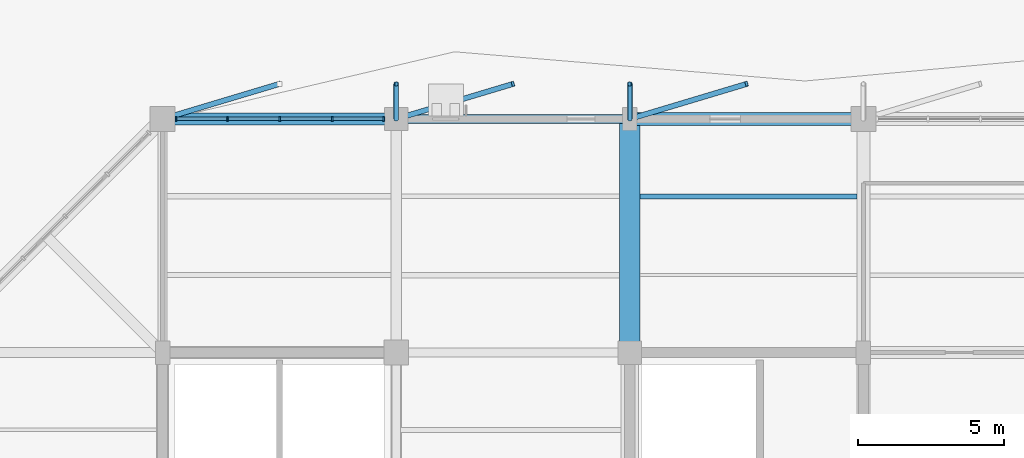
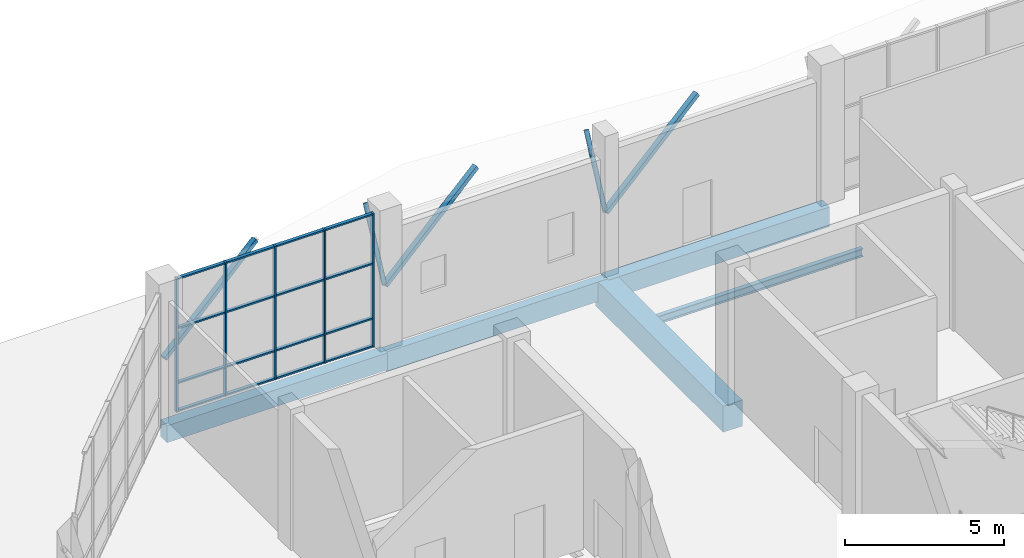
# One storey, part 40 of 123: 26 members, 5 beams, 1 element without a shape of its own.
"""IFC4 building model written with IfcOpenShell, lengths in metres."""

from ifc_helpers import new_model, si_unit, direction, frame, origin, origin_2d, place, context, subcontext, project, spatial, rectangle, hollow_rectangle, hollow_circle, i_section, extrude, material, material_profile, profile_set, type_object, element, aggregate, save


model = new_model("IFC4")

# Units and contexts
model_context = context("Model", 3, precision=1e-05, world=origin(), true_north=direction((0.0, 1.0)))
body_context = subcontext(model_context, "Body", "Model", "MODEL_VIEW")
ifc_project = project(units=[si_unit("LENGTHUNIT", "METRE"), si_unit("AREAUNIT", "SQUARE_METRE"), si_unit("VOLUMEUNIT", "CUBIC_METRE"), si_unit("PLANEANGLEUNIT", "RADIAN"), si_unit("MASSUNIT", "GRAM", prefix="KILO")], contexts=[model_context])

# Site, building, storey
site_placement = place(None, origin())
site = spatial("IfcSite", under=ifc_project, at=site_placement, CompositionType="ELEMENT")
building_placement = place(site_placement, origin())
building = spatial("IfcBuilding", under=site, at=building_placement, Name="Tenunan Teduh Sports Hall", CompositionType="ELEMENT")
storey_placement = place(building_placement, origin())
storey = spatial("IfcBuildingStorey", under=building, at=storey_placement, Name="L00", CompositionType="ELEMENT", Elevation=0.0)

# Beams
ifc_material_1 = material(Name="Concrete C40/50", Category="concrete")
ifc_material_profile_1 = material_profile(ifc_material_1, rectangle(XDim=0.39990234375, YDim=0.64990234375, at=origin_2d()), Name="RCB 400x650")
ifc_profile_set_1 = profile_set([ifc_material_profile_1], Name="Concrete C40/50")
beam_type_1 = type_object("IfcBeamType", Name="BM-RC-400x650", PredefinedType="BEAM", material=ifc_profile_set_1)
beam_1_placement = place(storey_placement, frame((14.0, 118.0, -0.60498046875), z_axis=(1.0, 0.0, 0.0), x_axis=(0.0, 1.0, 0.0)))
element("IfcBeam", 1, at=beam_1_placement, inside=storey, type_object=beam_type_1, Name="BM-B-07-L00-0750", PredefinedType="BEAM", context=body_context, shape_type="SweptSolid", body=[
    extrude(rectangle(XDim=0.39990234375, YDim=0.64990234375, at=origin_2d()), origin(), (0.0, 0.0, 1.0), 8.0),
])
ifc_material_2 = material(Name="Concrete C40/50", Category="concrete")
ifc_material_profile_2 = material_profile(ifc_material_2, rectangle(XDim=0.449951171875, YDim=0.75, at=origin_2d()), Name="RCB 450x750")
ifc_profile_set_2 = profile_set([ifc_material_profile_2], Name="Concrete C40/50")
beam_type_2 = type_object("IfcBeamType", Name="BM-RC-450x750", PredefinedType="BEAM", material=ifc_profile_set_2)
beam_2_placement = place(storey_placement, frame((30.0, 118.0, -0.655029296875), z_axis=(1.0, 0.0, 0.0), x_axis=(0.0, 1.0, 0.0)))
element("IfcBeam", 2, at=beam_2_placement, inside=storey, type_object=beam_type_2, Name="BM-B-11-L00-0752", PredefinedType="BEAM", context=body_context, shape_type="SweptSolid", body=[
    extrude(rectangle(XDim=0.449951171875, YDim=0.75, at=origin_2d()), origin(), (0.0, 0.0, 1.0), 8.0),
])
ifc_material_3 = material(Name="Concrete C40/50", Category="concrete")
ifc_material_profile_3 = material_profile(ifc_material_3, rectangle(XDim=0.699951171875, YDim=1.0, at=origin_2d()), Name="RCB 700x1000")
ifc_profile_set_3 = profile_set([ifc_material_profile_3], Name="Concrete C40/50")
beam_type_3 = type_object("IfcBeamType", Name="BM-RC-700x1000", PredefinedType="SPANDREL", material=ifc_profile_set_3)
beam_3_placement = place(storey_placement, frame((30.0, 110.0, -0.780029296875), z_axis=(0.0, 1.0, 0.0), x_axis=(-1.0, 0.0, 0.0)))
element("IfcBeam", 3, at=beam_3_placement, inside=storey, type_object=beam_type_3, Name="BM-B-19-L00-0788", PredefinedType="SPANDREL", context=body_context, shape_type="SweptSolid", body=[
    extrude(rectangle(XDim=0.699951171875, YDim=1.0, at=origin_2d()), origin(), (0.0, 0.0, 1.0), 8.0),
])
ifc_material_4 = material(Name="Concrete C40/50", Category="concrete")
ifc_material_profile_4 = material_profile(ifc_material_4, rectangle(XDim=0.300048828125, YDim=0.75, at=origin_2d()), Name="SPB 300x750")
ifc_profile_set_4 = profile_set([ifc_material_profile_4], Name="Concrete C40/50")
beam_type_4 = type_object("IfcBeamType", Name="BM-SP-300x750", PredefinedType="SPANDREL", material=ifc_profile_set_4)
beam_4_placement = place(storey_placement, frame((22.0, 118.0, -0.655029296875), z_axis=(1.0, 0.0, 0.0), x_axis=(0.0, 1.0, 0.0)))
element("IfcBeam", 4, at=beam_4_placement, inside=storey, type_object=beam_type_4, Name="BM-SP-01-L00-0751", PredefinedType="SPANDREL", context=body_context, shape_type="SweptSolid", body=[
    extrude(rectangle(XDim=0.300048828125, YDim=0.75, at=origin_2d()), origin(), (0.0, 0.0, 1.0), 8.0),
])

# Curtain wall, members
ifc_material_5 = material(Name="Anodised aluminium", Category="aluminium")
curtain_wall_type = type_object("IfcCurtainWallType", Name="CW-UNIT-1", PredefinedType="NOTDEFINED", material=ifc_material_5)
curtain_wall_placement = place(storey_placement, origin())
curtain_wall = element("IfcCurtainWall", 5, at=curtain_wall_placement, inside=storey, type_object=curtain_wall_type, Name="CW-CWM-150-L00-195", PredefinedType="NOTDEFINED")
ifc_material_6 = material(Name="Anodised aluminium", Category="aluminium")
ifc_material_profile_5 = material_profile(ifc_material_6, rectangle(XDim=0.06005859375, YDim=0.14990234375, at=origin_2d()), Name="CWM 60x150")
ifc_profile_set_5 = profile_set([ifc_material_profile_5], Name="Anodised aluminium")
member_type_1 = type_object("IfcMemberType", Name="CWM-150", PredefinedType="MULLION", material=ifc_profile_set_5)
member_1_placement = place(storey_placement, frame((14.455078125, 118.0, 0.0), z_axis=(0.0, 0.0, 1.0), x_axis=(1.0, 0.0, 0.0)))
member_1 = element("IfcMember", 6, at=member_1_placement, type_object=member_type_1, Name="CW-01 mullion 1", PredefinedType="MULLION", context=body_context, shape_type="SweptSolid", body=[
    extrude(rectangle(XDim=0.06005859375, YDim=0.14990234375, at=origin_2d()), origin(), (0.0, 0.0, 1.0), 5.1201171875),
])
member_2_placement = place(storey_placement, frame((16.21875, 118.0, 0.0), z_axis=(0.0, 0.0, 1.0), x_axis=(1.0, 0.0, 0.0)))
member_2 = element("IfcMember", 7, at=member_2_placement, type_object=member_type_1, Name="CW-01 mullion 2", PredefinedType="MULLION", context=body_context, shape_type="SweptSolid", body=[
    extrude(rectangle(XDim=0.06005859375, YDim=0.14990234375, at=origin_2d()), origin(), (0.0, 0.0, 1.0), 5.1201171875),
])
member_3_placement = place(storey_placement, frame((18.012451171875, 118.0, 0.0), z_axis=(0.0, 0.0, 1.0), x_axis=(1.0, 0.0, 0.0)))
member_3 = element("IfcMember", 8, at=member_3_placement, type_object=member_type_1, Name="CW-01 mullion 3", PredefinedType="MULLION", context=body_context, shape_type="SweptSolid", body=[
    extrude(rectangle(XDim=0.06005859375, YDim=0.14990234375, at=origin_2d()), origin(), (0.0, 0.0, 1.0), 5.1201171875),
])
member_4_placement = place(storey_placement, frame((19.80615234375, 118.0, 0.0), z_axis=(0.0, 0.0, 1.0), x_axis=(1.0, 0.0, 0.0)))
member_4 = element("IfcMember", 9, at=member_4_placement, type_object=member_type_1, Name="CW-01 mullion 4", PredefinedType="MULLION", context=body_context, shape_type="SweptSolid", body=[
    extrude(rectangle(XDim=0.06005859375, YDim=0.14990234375, at=origin_2d()), origin(), (0.0, 0.0, 1.0), 5.1201171875),
])
member_5_placement = place(storey_placement, frame((21.570068359375, 118.0, 0.0), z_axis=(0.0, 0.0, 1.0), x_axis=(1.0, 0.0, 0.0)))
member_5 = element("IfcMember", 10, at=member_5_placement, type_object=member_type_1, Name="CW-01 mullion 5", PredefinedType="MULLION", context=body_context, shape_type="SweptSolid", body=[
    extrude(rectangle(XDim=0.06005859375, YDim=0.14990234375, at=origin_2d()), origin(), (0.0, 0.0, 1.0), 5.1201171875),
])
ifc_material_7 = material(Name="Anodised aluminium", Category="aluminium")
ifc_material_profile_6 = material_profile(ifc_material_7, rectangle(XDim=0.06005859375, YDim=0.1201171875, at=origin_2d()), Name="CWT 60x120")
ifc_profile_set_6 = profile_set([ifc_material_profile_6], Name="Anodised aluminium")
member_type_2 = type_object("IfcMemberType", Name="CWT-125", PredefinedType="USERDEFINED", material=ifc_profile_set_6)
member_6_placement = place(storey_placement, frame((14.485107421875, 118.0, 0.030029296875), z_axis=(1.0, 0.0, 0.0), x_axis=(0.0, 0.0, 1.0)))
member_6 = element("IfcMember", 11, at=member_6_placement, type_object=member_type_2, Name="CW-01 transom 1.1", ObjectType="TRANSOM", PredefinedType="USERDEFINED", context=body_context, shape_type="SweptSolid", body=[
    extrude(rectangle(XDim=0.06005859375, YDim=0.1201171875, at=origin_2d()), origin(), (0.0, 0.0, 1.0), 1.70361328125),
])
member_7_placement = place(storey_placement, frame((14.485107421875, 118.0, 1.10009765625), z_axis=(1.0, 0.0, 0.0), x_axis=(0.0, 0.0, 1.0)))
member_7 = element("IfcMember", 12, at=member_7_placement, type_object=member_type_2, Name="CW-01 transom 1.2", ObjectType="TRANSOM", PredefinedType="USERDEFINED", context=body_context, shape_type="SweptSolid", body=[
    extrude(rectangle(XDim=0.06005859375, YDim=0.1201171875, at=origin_2d()), origin(), (0.0, 0.0, 1.0), 1.70361328125),
])
member_8_placement = place(storey_placement, frame((14.485107421875, 118.0, 3.199951171875), z_axis=(1.0, 0.0, 0.0), x_axis=(0.0, 0.0, 1.0)))
member_8 = element("IfcMember", 13, at=member_8_placement, type_object=member_type_2, Name="CW-01 transom 1.3", ObjectType="TRANSOM", PredefinedType="USERDEFINED", context=body_context, shape_type="SweptSolid", body=[
    extrude(rectangle(XDim=0.06005859375, YDim=0.1201171875, at=origin_2d()), origin(), (0.0, 0.0, 1.0), 1.70361328125),
])
member_9_placement = place(storey_placement, frame((14.485107421875, 118.0, 5.090087890625), z_axis=(1.0, 0.0, 0.0), x_axis=(0.0, 0.0, 1.0)))
member_9 = element("IfcMember", 14, at=member_9_placement, type_object=member_type_2, Name="CW-01 transom 1.4", ObjectType="TRANSOM", PredefinedType="USERDEFINED", context=body_context, shape_type="SweptSolid", body=[
    extrude(rectangle(XDim=0.06005859375, YDim=0.1201171875, at=origin_2d()), origin(), (0.0, 0.0, 1.0), 1.70361328125),
])
member_10_placement = place(storey_placement, frame((16.248779296875, 118.0, 0.030029296875), z_axis=(1.0, 0.0, 0.0), x_axis=(0.0, 0.0, 1.0)))
member_10 = element("IfcMember", 15, at=member_10_placement, type_object=member_type_2, Name="CW-01 transom 2.1", ObjectType="TRANSOM", PredefinedType="USERDEFINED", context=body_context, shape_type="SweptSolid", body=[
    extrude(rectangle(XDim=0.06005859375, YDim=0.1201171875, at=origin_2d()), origin(), (0.0, 0.0, 1.0), 1.733642578125),
])
member_11_placement = place(storey_placement, frame((16.248779296875, 118.0, 1.10009765625), z_axis=(1.0, 0.0, 0.0), x_axis=(0.0, 0.0, 1.0)))
member_11 = element("IfcMember", 16, at=member_11_placement, type_object=member_type_2, Name="CW-01 transom 2.2", ObjectType="TRANSOM", PredefinedType="USERDEFINED", context=body_context, shape_type="SweptSolid", body=[
    extrude(rectangle(XDim=0.06005859375, YDim=0.1201171875, at=origin_2d()), origin(), (0.0, 0.0, 1.0), 1.733642578125),
])
member_12_placement = place(storey_placement, frame((16.248779296875, 118.0, 3.199951171875), z_axis=(1.0, 0.0, 0.0), x_axis=(0.0, 0.0, 1.0)))
member_12 = element("IfcMember", 17, at=member_12_placement, type_object=member_type_2, Name="CW-01 transom 2.3", ObjectType="TRANSOM", PredefinedType="USERDEFINED", context=body_context, shape_type="SweptSolid", body=[
    extrude(rectangle(XDim=0.06005859375, YDim=0.1201171875, at=origin_2d()), origin(), (0.0, 0.0, 1.0), 1.733642578125),
])
member_13_placement = place(storey_placement, frame((16.248779296875, 118.0, 5.090087890625), z_axis=(1.0, 0.0, 0.0), x_axis=(0.0, 0.0, 1.0)))
member_13 = element("IfcMember", 18, at=member_13_placement, type_object=member_type_2, Name="CW-01 transom 2.4", ObjectType="TRANSOM", PredefinedType="USERDEFINED", context=body_context, shape_type="SweptSolid", body=[
    extrude(rectangle(XDim=0.06005859375, YDim=0.1201171875, at=origin_2d()), origin(), (0.0, 0.0, 1.0), 1.733642578125),
])
member_14_placement = place(storey_placement, frame((18.04248046875, 118.0, 0.030029296875), z_axis=(1.0, 0.0, 0.0), x_axis=(0.0, 0.0, 1.0)))
member_14 = element("IfcMember", 19, at=member_14_placement, type_object=member_type_2, Name="CW-01 transom 3.1", ObjectType="TRANSOM", PredefinedType="USERDEFINED", context=body_context, shape_type="SweptSolid", body=[
    extrude(rectangle(XDim=0.06005859375, YDim=0.1201171875, at=origin_2d()), origin(), (0.0, 0.0, 1.0), 1.73388671875),
])
member_15_placement = place(storey_placement, frame((18.04248046875, 118.0, 1.10009765625), z_axis=(1.0, 0.0, 0.0), x_axis=(0.0, 0.0, 1.0)))
member_15 = element("IfcMember", 20, at=member_15_placement, type_object=member_type_2, Name="CW-01 transom 3.2", ObjectType="TRANSOM", PredefinedType="USERDEFINED", context=body_context, shape_type="SweptSolid", body=[
    extrude(rectangle(XDim=0.06005859375, YDim=0.1201171875, at=origin_2d()), origin(), (0.0, 0.0, 1.0), 1.73388671875),
])
member_16_placement = place(storey_placement, frame((18.04248046875, 118.0, 3.199951171875), z_axis=(1.0, 0.0, 0.0), x_axis=(0.0, 0.0, 1.0)))
member_16 = element("IfcMember", 21, at=member_16_placement, type_object=member_type_2, Name="CW-01 transom 3.3", ObjectType="TRANSOM", PredefinedType="USERDEFINED", context=body_context, shape_type="SweptSolid", body=[
    extrude(rectangle(XDim=0.06005859375, YDim=0.1201171875, at=origin_2d()), origin(), (0.0, 0.0, 1.0), 1.73388671875),
])
member_17_placement = place(storey_placement, frame((18.04248046875, 118.0, 5.090087890625), z_axis=(1.0, 0.0, 0.0), x_axis=(0.0, 0.0, 1.0)))
member_17 = element("IfcMember", 22, at=member_17_placement, type_object=member_type_2, Name="CW-01 transom 3.4", ObjectType="TRANSOM", PredefinedType="USERDEFINED", context=body_context, shape_type="SweptSolid", body=[
    extrude(rectangle(XDim=0.06005859375, YDim=0.1201171875, at=origin_2d()), origin(), (0.0, 0.0, 1.0), 1.73388671875),
])
member_18_placement = place(storey_placement, frame((19.836181640625, 118.0, 0.030029296875), z_axis=(1.0, 0.0, 0.0), x_axis=(0.0, 0.0, 1.0)))
member_18 = element("IfcMember", 23, at=member_18_placement, type_object=member_type_2, Name="CW-01 transom 4.1", ObjectType="TRANSOM", PredefinedType="USERDEFINED", context=body_context, shape_type="SweptSolid", body=[
    extrude(rectangle(XDim=0.06005859375, YDim=0.1201171875, at=origin_2d()), origin(), (0.0, 0.0, 1.0), 1.703857421875),
])
member_19_placement = place(storey_placement, frame((19.836181640625, 118.0, 1.10009765625), z_axis=(1.0, 0.0, 0.0), x_axis=(0.0, 0.0, 1.0)))
member_19 = element("IfcMember", 24, at=member_19_placement, type_object=member_type_2, Name="CW-01 transom 4.2", ObjectType="TRANSOM", PredefinedType="USERDEFINED", context=body_context, shape_type="SweptSolid", body=[
    extrude(rectangle(XDim=0.06005859375, YDim=0.1201171875, at=origin_2d()), origin(), (0.0, 0.0, 1.0), 1.703857421875),
])
member_20_placement = place(storey_placement, frame((19.836181640625, 118.0, 3.199951171875), z_axis=(1.0, 0.0, 0.0), x_axis=(0.0, 0.0, 1.0)))
member_20 = element("IfcMember", 25, at=member_20_placement, type_object=member_type_2, Name="CW-01 transom 4.3", ObjectType="TRANSOM", PredefinedType="USERDEFINED", context=body_context, shape_type="SweptSolid", body=[
    extrude(rectangle(XDim=0.06005859375, YDim=0.1201171875, at=origin_2d()), origin(), (0.0, 0.0, 1.0), 1.703857421875),
])
member_21_placement = place(storey_placement, frame((19.836181640625, 118.0, 5.090087890625), z_axis=(1.0, 0.0, 0.0), x_axis=(0.0, 0.0, 1.0)))
member_21 = element("IfcMember", 26, at=member_21_placement, type_object=member_type_2, Name="CW-01 transom 4.4", ObjectType="TRANSOM", PredefinedType="USERDEFINED", context=body_context, shape_type="SweptSolid", body=[
    extrude(rectangle(XDim=0.06005859375, YDim=0.1201171875, at=origin_2d()), origin(), (0.0, 0.0, 1.0), 1.703857421875),
])
aggregate(curtain_wall, [member_1, member_2, member_3, member_4, member_5, member_6, member_7, member_8, member_9, member_10, member_11, member_12, member_13, member_14, member_15, member_16, member_17, member_18, member_19, member_20, member_21])

# Members
ifc_material_8 = material(Name="Steel S355", Category="steel")
ifc_material_profile_7 = material_profile(ifc_material_8, hollow_circle(Radius=0.084228515625, WallThickness=0.008056640625, at=origin_2d()), Name="CHS 168.3x8.0")
ifc_profile_set_7 = profile_set([ifc_material_profile_7], Name="Steel S355")
member_type_3 = type_object("IfcMemberType", Name="MEM-BR-CHS168", PredefinedType="BRACE", material=ifc_profile_set_7)
for number, where, z_axis, x_axis, name in (
    (27, (22.0, 118.0, 2.199951171875), (0.0, 0.444210511522, 0.895922441651), (-1.0, 0.0, 0.0), "MEM-GD-04-L00-1109"),
    (28, (30.0, 118.0, 2.199951171875), (0.0, 0.444210511522, 0.895922441651), (-1.0, 0.0, 0.0), "MEM-GD-04-L00-1111"),
):
    element("IfcMember", number, at=place(storey_placement, frame(where, z_axis=z_axis, x_axis=x_axis)), inside=storey, type_object=member_type_3, Name=name, PredefinedType="BRACE", context=body_context, shape_type="SweptSolid", body=[
        extrude(hollow_circle(Radius=0.084228515625, WallThickness=0.008056640625, at=origin_2d()), origin(), (0.0, 0.0, 1.0), 2.701416015625),
    ])
ifc_material_9 = material(Name="Steel S355", Category="steel")
ifc_material_profile_8 = material_profile(ifc_material_9, hollow_rectangle(XDim=0.179931640625, YDim=0.179931640625, WallThickness=0.010009765625, at=origin_2d()), Name="SHS 180x180x10.0")
ifc_profile_set_8 = profile_set([ifc_material_profile_8], Name="Steel S355")
member_type_4 = type_object("IfcMemberType", Name="MEM-ST-SHS180", PredefinedType="STRUT", material=ifc_profile_set_8)
for number, where, z_axis, x_axis, name in (
    (29, (14.0, 118.0, 2.199951171875), (0.828722607556, 0.248606666024, 0.501411572797), (-0.287337158709, 0.957829503213, 0.0), "MEM-VS-03-L00-1108"),
    (30, (22.0, 118.0, 2.199951171875), (0.828722607556, 0.248606666024, 0.501411572797), (-0.287337158709, 0.957829503213, 0.0), "MEM-VS-03-L00-1110"),
    (31, (30.0, 118.0, 2.199951171875), (0.828722607556, 0.248606666024, 0.501411572797), (-0.287337158709, 0.957829503213, 0.0), "MEM-VS-03-L00-1112"),
):
    element("IfcMember", number, at=place(storey_placement, frame(where, z_axis=z_axis, x_axis=x_axis)), inside=storey, type_object=member_type_4, Name=name, PredefinedType="STRUT", context=body_context, shape_type="SweptSolid", body=[
        extrude(hollow_rectangle(XDim=0.179931640625, YDim=0.179931640625, WallThickness=0.010009765625, at=origin_2d()), origin(), (0.0, 0.0, 1.0), 4.82666015625),
    ])

# Beam
ifc_material_10 = material(Name="Steel S355", Category="steel")
ifc_material_profile_9 = material_profile(ifc_material_10, i_section(OverallWidth=0.1650390625, OverallDepth=0.303466796875, WebThickness=0.006103515625, FlangeThickness=0.01025390625, FilletRadius=0.0087890625, at=origin_2d()), Name="UKB 305x165x40")
ifc_profile_set_9 = profile_set([ifc_material_profile_9], Name="Steel S355")
beam_type_5 = type_object("IfcBeamType", Name="SBM-UKB305", PredefinedType="BEAM", material=ifc_profile_set_9)
beam_5_placement = place(storey_placement, frame((30.35009765625, 115.35009765625, -0.431640625), z_axis=(1.0, 0.0, 0.0), x_axis=(0.0, 1.0, 0.0)))
element("IfcBeam", 32, at=beam_5_placement, inside=storey, type_object=beam_type_5, Name="BM-SB-01-L00-0931", PredefinedType="BEAM", context=body_context, shape_type="SweptSolid", body=[
    extrude(i_section(OverallWidth=0.1650390625, OverallDepth=0.303466796875, WebThickness=0.006103515625, FlangeThickness=0.01025390625, FilletRadius=0.0087890625, at=origin_2d()), origin(), (0.0, 0.0, 1.0), 7.4248046875),
])

save(model, "model.ifc")
